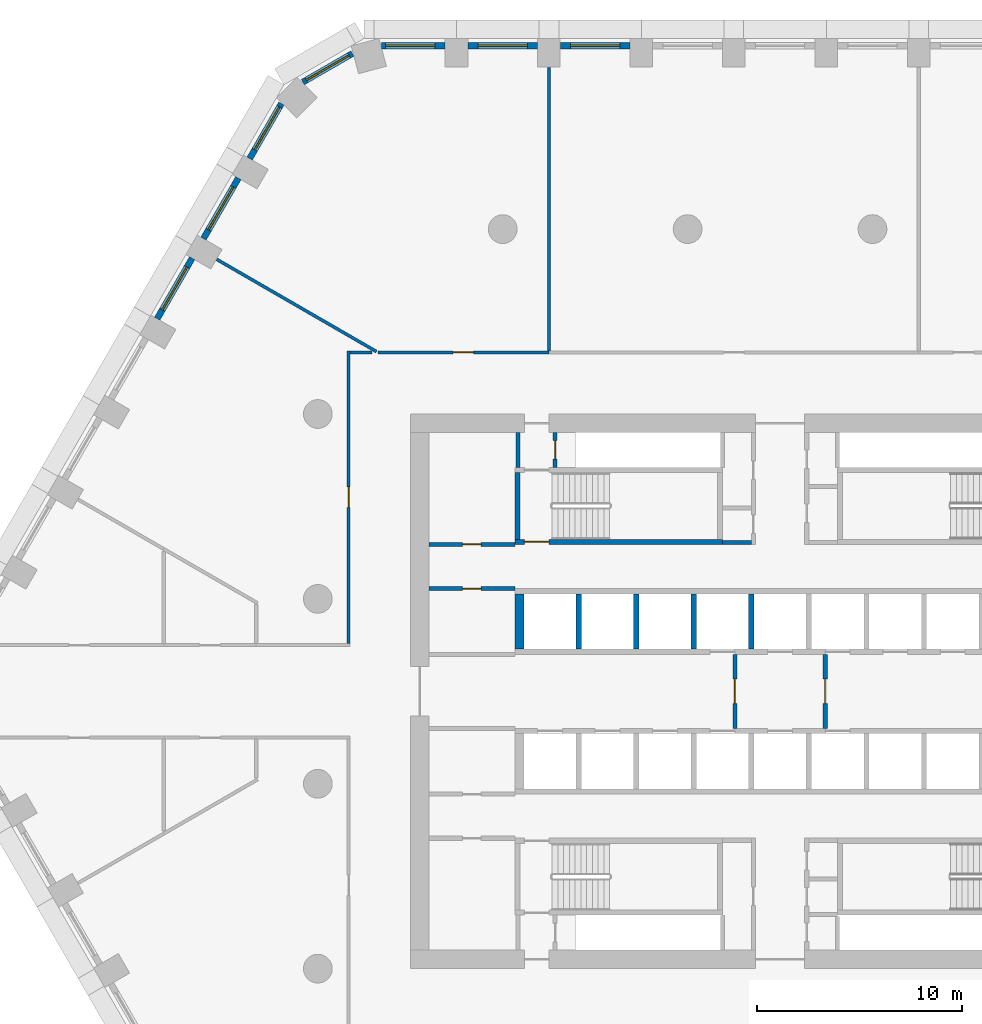
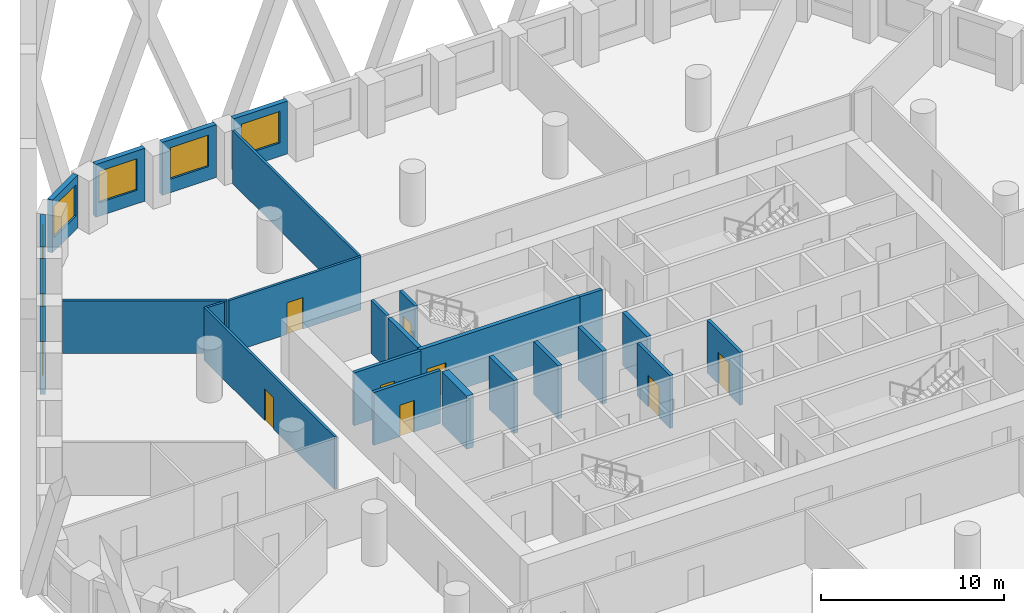
# One storey, part 5 of 18: 26 walls, 8 doors, 7 windows, 15 openings.
"""IFC4 building model written with IfcOpenShell, lengths in metres."""

import ifcopenshell
import ifcopenshell.guid

model = None  # the IFC model being written
_history = None  # IfcOwnerHistory: only IFC2X3 demands one
_inside = {}  # id of a spatial element -> (the spatial element, [elements in it])
_under = {}  # id of a project, library or spatial element -> (it, [spatial elements below it])
_declared = {}  # id of a project -> (the project, [libraries it declares])
_typed = {}  # id of a type object -> (the type object, [elements of that type])
_made_of = {}  # id of a material, layer set ... -> (it, [elements and type objects made of it])


def new_model(schema):
    """Start an empty IFC model of exactly this schema.

    Asked for "IFC4X3", IfcOpenShell would pick the latest addendum, in which some entities
    have other attributes; the version numbers below select the first issue.
    IFC2X3 requires an IfcOwnerHistory on every rooted entity: one is made here for all.
    """
    global model, _history
    if schema == "IFC4X3":
        model = ifcopenshell.file(schema_version=(4, 3, 0, 0))
    else:
        model = ifcopenshell.file(schema=schema)
    _inside.clear()
    _under.clear()
    _declared.clear()
    _typed.clear()
    _made_of.clear()
    _history = None
    if model.schema == "IFC2X3":
        org = make("IfcOrganization", Name="unknown")
        user = make(
            "IfcPersonAndOrganization",
            ThePerson=make("IfcPerson", FamilyName="unknown"),
            TheOrganization=org,
        )
        app = make(
            "IfcApplication",
            ApplicationDeveloper=org,
            Version="unknown",
            ApplicationFullName="unknown",
            ApplicationIdentifier="unknown",
        )
        _history = make(
            "IfcOwnerHistory",
            OwningUser=user,
            OwningApplication=app,
            ChangeAction="ADDED",
            CreationDate=0,
        )
    return model


def make(cls, **values):
    """One entity of the class cls with the attributes given. An attribute that is None is left unset."""
    return model.create_entity(
        cls, **{name: value for name, value in values.items() if value is not None}
    )


def rooted(cls, **values):
    """An entity with a GlobalId (a new one), such as an element, a storey or a relation."""
    return make(cls, GlobalId=ifcopenshell.guid.new(), OwnerHistory=_history, **values)


def si_unit(unit_type, name, prefix=None):
    """IfcSIUnit, for example si_unit("LENGTHUNIT", "METRE", prefix="MILLI")."""
    return make("IfcSIUnit", UnitType=unit_type, Prefix=prefix, Name=name)


def assignment(units):
    """IfcUnitAssignment: the units of a project."""
    return None if units is None else make("IfcUnitAssignment", Units=units)


def point(xyz):
    """IfcCartesianPoint."""
    return None if xyz is None else make("IfcCartesianPoint", Coordinates=xyz)


def direction(xyz):
    """IfcDirection."""
    return None if xyz is None else make("IfcDirection", DirectionRatios=xyz)


def frame(location, z_axis=None, x_axis=None):
    """IfcAxis2Placement3D, a coordinate frame: its origin and axes. An axis left out is left unset."""
    return make(
        "IfcAxis2Placement3D",
        Location=point(location),
        Axis=direction(z_axis),
        RefDirection=direction(x_axis),
    )


def frame_2d(location, x_axis=None):
    """IfcAxis2Placement2D, a coordinate frame in the plane: its origin and x axis."""
    return make(
        "IfcAxis2Placement2D", Location=point(location), RefDirection=direction(x_axis)
    )


def origin():
    """The frame at (0, 0, 0) with its axes left unset."""
    return frame((0.0, 0.0, 0.0))


def place(relative_to, where):
    """IfcLocalPlacement: puts the frame where relative to a parent placement (None: the world)."""
    return make(
        "IfcLocalPlacement", PlacementRelTo=relative_to, RelativePlacement=where
    )


def context(
    kind, dimensions, precision=None, world=None, true_north=None, identifier=None
):
    """IfcGeometricRepresentationContext, for example the 3D "Model" context."""
    return make(
        "IfcGeometricRepresentationContext",
        ContextIdentifier=identifier,
        ContextType=kind,
        CoordinateSpaceDimension=dimensions,
        Precision=precision,
        WorldCoordinateSystem=world,
        TrueNorth=true_north,
    )


def subcontext(parent, identifier, kind, view, scale=None):
    """IfcGeometricRepresentationSubContext, for example "Body" below "Model"."""
    return make(
        "IfcGeometricRepresentationSubContext",
        ContextIdentifier=identifier,
        ContextType=kind,
        ParentContext=parent,
        TargetScale=scale,
        TargetView=view,
    )


def project(units=None, contexts=None):
    """IfcProject with its units and contexts."""
    return rooted(
        "IfcProject",
        Name="project",
        RepresentationContexts=contexts,
        UnitsInContext=assignment(units),
    )


def spatial(cls, under=None, at=None, **own):
    """A site, building, storey or space (cls), placed at a placement, below another one or the project."""
    s = rooted(cls, ObjectPlacement=at, **own)
    if under is not None:
        _under.setdefault(under.id(), (under, []))[1].append(s)
    return s


def polyline(points):
    """IfcPolyline through the points."""
    return make("IfcPolyline", Points=[point(p) for p in points])


def profile(cls, at=None, kind="AREA", **sizes):
    """A parametric profile (cls). Its sizes go by their IFC names, for example OverallWidth=200.0."""
    return make(cls, ProfileType=kind, Position=at, **sizes)


def rectangle(**sizes):
    """IfcRectangleProfileDef."""
    return profile("IfcRectangleProfileDef", **sizes)


def outline(outer, holes=None, kind="AREA"):
    """IfcArbitraryClosedProfileDef: a profile drawn as a closed curve; with holes, ...WithVoids."""
    if holes is None:
        return make("IfcArbitraryClosedProfileDef", ProfileType=kind, OuterCurve=outer)
    return make(
        "IfcArbitraryProfileDefWithVoids",
        ProfileType=kind,
        OuterCurve=outer,
        InnerCurves=holes,
    )


def extrude(swept, where, along, depth):
    """IfcExtrudedAreaSolid: the profile swept, set in the frame where, extruded along a direction by depth."""
    return make(
        "IfcExtrudedAreaSolid",
        SweptArea=swept,
        Position=where,
        ExtrudedDirection=direction(along),
        Depth=depth,
    )


def shape(context_of_items, identifier, shape_type, items):
    """IfcShapeRepresentation: the items that make up one representation, for example the "Body"."""
    return make(
        "IfcShapeRepresentation",
        ContextOfItems=context_of_items,
        RepresentationIdentifier=identifier,
        RepresentationType=shape_type,
        Items=items,
    )


def material(Name=None, Category=None):
    """IfcMaterial."""
    return make("IfcMaterial", Name=Name, Category=Category)


def layer(
    of_material, thickness, ventilated=None, Name=None, Category=None, Priority=None
):
    """IfcMaterialLayer: one layer of a wall or slab, of a material (None: an air gap)."""
    return make(
        "IfcMaterialLayer",
        Material=of_material,
        LayerThickness=thickness,
        IsVentilated=ventilated,
        Name=Name,
        Category=Category,
        Priority=Priority,
    )


def layer_set(layers, Name=None):
    """IfcMaterialLayerSet."""
    return make("IfcMaterialLayerSet", MaterialLayers=layers, LayerSetName=Name)


def made_of(thing, what):
    """Note that an element or type object is made of a material, layer set ...; save() writes the relation."""
    if what is not None:
        _made_of.setdefault(what.id(), (what, []))[1].append(thing)
    return thing


def type_object(cls, material=None, **own):
    """A type object (cls), such as IfcWallType, which elements share."""
    return made_of(rooted(cls, **own), material)


def element(
    cls,
    number,
    at=None,
    inside=None,
    cuts=None,
    type_object=None,
    material=None,
    context=None,
    identifier="Body",
    shape_type=None,
    held_by="IfcProductDefinitionShape",
    body=None,
    shapes=None,
    **own,
):
    """One element of the class cls, such as IfcWall. Its Tag is "e" and its number.

    at: its placement. inside: the storey or other place that contains it. cuts: it is an
    opening in that element (IfcRelVoidsElement). A single representation is given by context,
    identifier, shape_type and body (its items); several are given by shapes. held_by: the class
    of the entity that holds the representations. save() writes the other relations.
    """
    e = rooted(cls, Tag="e%d" % number, ObjectPlacement=at, **own)
    if body is not None:
        shapes = [shape(context, identifier, shape_type, body)]
    if shapes is not None:
        e.Representation = make(held_by, Representations=shapes)
    if inside is not None:
        _inside.setdefault(inside.id(), (inside, []))[1].append(e)
    if cuts is not None:
        rooted(
            "IfcRelVoidsElement", RelatingBuildingElement=cuts, RelatedOpeningElement=e
        )
    if type_object is not None:
        _typed.setdefault(type_object.id(), (type_object, []))[1].append(e)
    return made_of(e, material)


def fill(opening, filler):
    """IfcRelFillsElement: the door or window that sits in an opening."""
    return rooted(
        "IfcRelFillsElement",
        RelatingOpeningElement=opening,
        RelatedBuildingElement=filler,
    )


def aggregate(whole, parts):
    """IfcRelAggregates: a whole, such as a stair, and the parts it consists of."""
    return rooted("IfcRelAggregates", RelatingObject=whole, RelatedObjects=parts)


def save(model, path):
    """Write the relations noted so far, then the file.

    IfcRelAggregates (storeys below a building ...), IfcRelContainedInSpatialStructure (elements
    in a storey), IfcRelDefinesByType, IfcRelAssociatesMaterial and IfcRelDeclares: one each for
    every whole, place, type object, material and project.
    """
    for whole, parts in _under.values():
        aggregate(whole, parts)
    for where, things in _inside.values():
        rooted(
            "IfcRelContainedInSpatialStructure",
            RelatedElements=things,
            RelatingStructure=where,
        )
    for kind, things in _typed.values():
        rooted("IfcRelDefinesByType", RelatedObjects=things, RelatingType=kind)
    for what, things in _made_of.values():
        rooted("IfcRelAssociatesMaterial", RelatedObjects=things, RelatingMaterial=what)
    for by, libraries in _declared.values():
        rooted("IfcRelDeclares", RelatingContext=by, RelatedDefinitions=libraries)
    model.write(path)


model = new_model("IFC4")

# Units and contexts
model_context = context("Model", 3, precision=1e-05, world=origin(), true_north=direction((0.0, 1.0)))
body_context = subcontext(model_context, "Body", "Model", "MODEL_VIEW")
ifc_project = project(units=[si_unit("LENGTHUNIT", "METRE"), si_unit("AREAUNIT", "SQUARE_METRE"), si_unit("VOLUMEUNIT", "CUBIC_METRE"), si_unit("PLANEANGLEUNIT", "RADIAN"), si_unit("MASSUNIT", "GRAM", prefix="KILO")], contexts=[model_context])

# Site, building, storey
site_placement = place(None, origin())
site = spatial("IfcSite", under=ifc_project, at=site_placement, CompositionType="ELEMENT")
building_placement = place(site_placement, origin())
building = spatial("IfcBuilding", under=site, at=building_placement, Name="Dhurran Vertical Campus", CompositionType="ELEMENT")
storey_placement = place(building_placement, frame((0.0, 0.0, 30.0)))
storey = spatial("IfcBuildingStorey", under=building, at=storey_placement, Name="L06", CompositionType="ELEMENT", Elevation=30.0)

# Wall, opening, window
ifc_material_1 = material(Name="Precast concrete C50/60", Category="concrete")
ifc_layer_1 = layer(ifc_material_1, 0.300048828125)
ifc_layer_set_1 = layer_set([ifc_layer_1], Name="Precast concrete C50/60")
wall_type_1 = type_object("IfcWallType", Name="Precast spandrel wall 300", PredefinedType="SOLIDWALL", material=ifc_layer_set_1)
wall_1_placement = place(storey_placement, frame((-7.300537109375, 31.4296875, 0.0), z_axis=(0.0, 0.0, 1.0), x_axis=(-1.0, 0.0, 0.0)))
wall_1 = element("IfcWall", 1, at=wall_1_placement, inside=storey, type_object=wall_type_1, Name="EW1 L06.32", PredefinedType="SOLIDWALL", context=body_context, shape_type="SweptSolid", body=[
    extrude(rectangle(XDim=3.39892578125, YDim=0.300048828125, at=frame_2d((1.699462890625, 0.0))), origin(), (0.0, 0.0, 1.0), 3.52490234375),
])
opening_1_placement = place(wall_1_placement, frame((0.49951171875, 0.0, 0.89990234375)))
opening_1 = element("IfcOpeningElement", 2, at=opening_1_placement, cuts=wall_1, Name="Opening WT1", PredefinedType="OPENING", context=body_context, shape_type="SweptSolid", body=[
    extrude(rectangle(XDim=2.39990234375, YDim=2.10009765625, at=frame_2d((1.199951171875, 1.050048828125))), frame((0.0, 0.159912109375, 0.0), z_axis=(0.0, -1.0, 0.0), x_axis=(1.0, 0.0, 0.0)), (0.0, 0.0, 1.0), 0.320068359375),
])
ifc_material_2 = material(Name="Aluminium frame with solar-control glass", Category="aluminium")
window_type = type_object("IfcWindowType", Name="Punched window 2400 x 2100", PartitioningType="SINGLE_PANEL", PredefinedType="WINDOW", material=ifc_material_2)
window_1_placement = place(opening_1_placement, origin())
window_1 = element("IfcWindow", 3, at=window_1_placement, inside=storey, type_object=window_type, Name="WT1 L06.32", OverallHeight=2.10009765625, OverallWidth=2.39990234375, PartitioningType="SINGLE_PANEL", PredefinedType="WINDOW", context=body_context, shape_type="SweptSolid", body=[
    extrude(rectangle(XDim=2.39990234375, YDim=2.10009765625, at=frame_2d((1.199951171875, 1.050048828125))), frame((0.0, 0.030029296875, 0.0), z_axis=(0.0, -1.0, 0.0), x_axis=(1.0, 0.0, 0.0)), (0.0, 0.0, 1.0), 0.06005859375),
])
fill(opening_1, window_1)

wall_2_placement = place(storey_placement, frame((-11.800537109375, 31.4296875, 0.0), z_axis=(0.0, 0.0, 1.0), x_axis=(-1.0, 0.0, 0.0)))
wall_2 = element("IfcWall", 4, at=wall_2_placement, inside=storey, type_object=wall_type_1, Name="EW1 L06.33", PredefinedType="SOLIDWALL", context=body_context, shape_type="SweptSolid", body=[
    extrude(rectangle(XDim=3.39892578125, YDim=0.300048828125, at=frame_2d((1.699462890625, 0.0))), origin(), (0.0, 0.0, 1.0), 3.52490234375),
])
opening_2_placement = place(wall_2_placement, frame((0.49951171875, 0.0, 0.89990234375)))
opening_2 = element("IfcOpeningElement", 5, at=opening_2_placement, cuts=wall_2, Name="Opening WT1", PredefinedType="OPENING", context=body_context, shape_type="SweptSolid", body=[
    extrude(rectangle(XDim=2.39990234375, YDim=2.10009765625, at=frame_2d((1.199951171875, 1.050048828125))), frame((0.0, 0.159912109375, 0.0), z_axis=(0.0, -1.0, 0.0), x_axis=(1.0, 0.0, 0.0)), (0.0, 0.0, 1.0), 0.320068359375),
])
window_2_placement = place(opening_2_placement, origin())
window_2 = element("IfcWindow", 6, at=window_2_placement, inside=storey, type_object=window_type, Name="WT1 L06.33", OverallHeight=2.10009765625, OverallWidth=2.39990234375, PartitioningType="SINGLE_PANEL", PredefinedType="WINDOW", context=body_context, shape_type="SweptSolid", body=[
    extrude(rectangle(XDim=2.39990234375, YDim=2.10009765625, at=frame_2d((1.199951171875, 1.050048828125))), frame((0.0, 0.030029296875, 0.0), z_axis=(0.0, -1.0, 0.0), x_axis=(1.0, 0.0, 0.0)), (0.0, 0.0, 1.0), 0.06005859375),
])
fill(opening_2, window_2)

wall_3_placement = place(storey_placement, frame((-16.300537109375, 31.4296875, 0.0), z_axis=(0.0, 0.0, 1.0), x_axis=(-1.0, 0.0, 0.0)))
wall_3 = element("IfcWall", 7, at=wall_3_placement, inside=storey, type_object=wall_type_1, Name="EW1 L06.34", PredefinedType="SOLIDWALL", context=body_context, shape_type="SweptSolid", body=[
    extrude(rectangle(XDim=3.090576171875, YDim=0.300048828125, at=frame_2d((1.54541015625, 0.0))), origin(), (0.0, 0.0, 1.0), 3.52490234375),
])
opening_3_placement = place(wall_3_placement, frame((0.49951171875, 0.0, 0.89990234375)))
opening_3 = element("IfcOpeningElement", 8, at=opening_3_placement, cuts=wall_3, Name="Opening WT1", PredefinedType="OPENING", context=body_context, shape_type="SweptSolid", body=[
    extrude(rectangle(XDim=2.39990234375, YDim=2.10009765625, at=frame_2d((1.199951171875, 1.050048828125))), frame((0.0, 0.159912109375, 0.0), z_axis=(0.0, -1.0, 0.0), x_axis=(1.0, 0.0, 0.0)), (0.0, 0.0, 1.0), 0.320068359375),
])
window_3_placement = place(opening_3_placement, origin())
window_3 = element("IfcWindow", 9, at=window_3_placement, inside=storey, type_object=window_type, Name="WT1 L06.34", OverallHeight=2.10009765625, OverallWidth=2.39990234375, PartitioningType="SINGLE_PANEL", PredefinedType="WINDOW", context=body_context, shape_type="SweptSolid", body=[
    extrude(rectangle(XDim=2.39990234375, YDim=2.10009765625, at=frame_2d((1.199951171875, 1.050048828125))), frame((0.0, 0.030029296875, 0.0), z_axis=(0.0, -1.0, 0.0), x_axis=(1.0, 0.0, 0.0)), (0.0, 0.0, 1.0), 0.06005859375),
])
fill(opening_3, window_3)

wall_4_placement = place(storey_placement, frame((-20.81884765625, 31.047119140625, 0.0), z_axis=(0.0, 0.0, 1.0), x_axis=(-0.866020456713, -0.500008568482, 0.0)))
wall_4 = element("IfcWall", 10, at=wall_4_placement, inside=storey, type_object=wall_type_1, Name="EW1 L06.35", PredefinedType="SOLIDWALL", context=body_context, shape_type="SweptSolid", body=[
    extrude(rectangle(XDim=2.7822265625, YDim=0.300048828125, at=frame_2d((1.39111328125, 0.0))), origin(), (0.0, 0.0, 1.0), 3.52490234375),
])
opening_4_placement = place(wall_4_placement, frame((0.191162109375, 0.0, 0.89990234375)))
opening_4 = element("IfcOpeningElement", 11, at=opening_4_placement, cuts=wall_4, Name="Opening WT1", PredefinedType="OPENING", context=body_context, shape_type="SweptSolid", body=[
    extrude(rectangle(XDim=2.39990234375, YDim=2.10009765625, at=frame_2d((1.199951171875, 1.050048828125))), frame((0.0, 0.159912109375, 0.0), z_axis=(0.0, -1.0, 0.0), x_axis=(1.0, 0.0, 0.0)), (0.0, 0.0, 1.0), 0.320068359375),
])
window_4_placement = place(opening_4_placement, origin())
window_4 = element("IfcWindow", 12, at=window_4_placement, inside=storey, type_object=window_type, Name="WT1 L06.35", OverallHeight=2.10009765625, OverallWidth=2.39990234375, PartitioningType="SINGLE_PANEL", PredefinedType="WINDOW", context=body_context, shape_type="SweptSolid", body=[
    extrude(rectangle(XDim=2.39990234375, YDim=2.10009765625, at=frame_2d((1.199951171875, 1.050048828125))), frame((0.0, 0.030029296875, 0.0), z_axis=(0.0, -1.0, 0.0), x_axis=(1.0, 0.0, 0.0)), (0.0, 0.0, 1.0), 0.06005859375),
])
fill(opening_4, window_4)

wall_5_placement = place(storey_placement, frame((-24.2734375, 28.611083984375, 0.0), z_axis=(0.0, 0.0, 1.0), x_axis=(-0.499995950774, -0.866027741594, 0.0)))
wall_5 = element("IfcWall", 13, at=wall_5_placement, inside=storey, type_object=wall_type_1, Name="EW1 L06.36", PredefinedType="SOLIDWALL", context=body_context, shape_type="SweptSolid", body=[
    extrude(rectangle(XDim=3.0908203125, YDim=0.300048828125, at=frame_2d((1.54541015625, 0.0))), origin(), (0.0, 0.0, 1.0), 3.52490234375),
])
opening_5_placement = place(wall_5_placement, frame((0.191162109375, 0.0, 0.89990234375)))
opening_5 = element("IfcOpeningElement", 14, at=opening_5_placement, cuts=wall_5, Name="Opening WT1", PredefinedType="OPENING", context=body_context, shape_type="SweptSolid", body=[
    extrude(rectangle(XDim=2.39990234375, YDim=2.10009765625, at=frame_2d((1.199951171875, 1.050048828125))), frame((0.0, 0.159912109375, 0.0), z_axis=(0.0, -1.0, 0.0), x_axis=(1.0, 0.0, 0.0)), (0.0, 0.0, 1.0), 0.320068359375),
])
window_5_placement = place(opening_5_placement, origin())
window_5 = element("IfcWindow", 15, at=window_5_placement, inside=storey, type_object=window_type, Name="WT1 L06.36", OverallHeight=2.10009765625, OverallWidth=2.39990234375, PartitioningType="SINGLE_PANEL", PredefinedType="WINDOW", context=body_context, shape_type="SweptSolid", body=[
    extrude(rectangle(XDim=2.39990234375, YDim=2.10009765625, at=frame_2d((1.199951171875, 1.050048828125))), frame((0.0, 0.030029296875, 0.0), z_axis=(0.0, -1.0, 0.0), x_axis=(1.0, 0.0, 0.0)), (0.0, 0.0, 1.0), 0.06005859375),
])
fill(opening_5, window_5)

wall_6_placement = place(storey_placement, frame((-26.369384765625, 24.98095703125, 0.0), z_axis=(0.0, 0.0, 1.0), x_axis=(-0.499993955907, -0.866028893315, 0.0)))
wall_6 = element("IfcWall", 16, at=wall_6_placement, inside=storey, type_object=wall_type_1, Name="EW1 L06.37", PredefinedType="SOLIDWALL", context=body_context, shape_type="SweptSolid", body=[
    extrude(rectangle(XDim=3.39892578125, YDim=0.300048828125, at=frame_2d((1.699462890625, 0.0))), origin(), (0.0, 0.0, 1.0), 3.52490234375),
])
opening_6_placement = place(wall_6_placement, frame((0.49951171875, 0.0, 0.89990234375)))
opening_6 = element("IfcOpeningElement", 17, at=opening_6_placement, cuts=wall_6, Name="Opening WT1", PredefinedType="OPENING", context=body_context, shape_type="SweptSolid", body=[
    extrude(rectangle(XDim=2.39990234375, YDim=2.10009765625, at=frame_2d((1.199951171875, 1.050048828125))), frame((0.0, 0.159912109375, 0.0), z_axis=(0.0, -1.0, 0.0), x_axis=(1.0, 0.0, 0.0)), (0.0, 0.0, 1.0), 0.320068359375),
])
window_6_placement = place(opening_6_placement, origin())
window_6 = element("IfcWindow", 18, at=window_6_placement, inside=storey, type_object=window_type, Name="WT1 L06.37", OverallHeight=2.10009765625, OverallWidth=2.39990234375, PartitioningType="SINGLE_PANEL", PredefinedType="WINDOW", context=body_context, shape_type="SweptSolid", body=[
    extrude(rectangle(XDim=2.39990234375, YDim=2.10009765625, at=frame_2d((1.199951171875, 1.050048828125))), frame((0.0, 0.030029296875, 0.0), z_axis=(0.0, -1.0, 0.0), x_axis=(1.0, 0.0, 0.0)), (0.0, 0.0, 1.0), 0.06005859375),
])
fill(opening_6, window_6)

wall_7_placement = place(storey_placement, frame((-28.619384765625, 21.083740234375, 0.0), z_axis=(0.0, 0.0, 1.0), x_axis=(-0.499993955907, -0.866028893315, 0.0)))
wall_7 = element("IfcWall", 19, at=wall_7_placement, inside=storey, type_object=wall_type_1, Name="EW1 L06.38", PredefinedType="SOLIDWALL", context=body_context, shape_type="SweptSolid", body=[
    extrude(rectangle(XDim=3.39892578125, YDim=0.300048828125, at=frame_2d((1.699462890625, 0.0))), origin(), (0.0, 0.0, 1.0), 3.52490234375),
])
opening_7_placement = place(wall_7_placement, frame((0.49951171875, 0.0, 0.89990234375)))
opening_7 = element("IfcOpeningElement", 20, at=opening_7_placement, cuts=wall_7, Name="Opening WT1", PredefinedType="OPENING", context=body_context, shape_type="SweptSolid", body=[
    extrude(rectangle(XDim=2.39990234375, YDim=2.10009765625, at=frame_2d((1.199951171875, 1.050048828125))), frame((0.0, 0.159912109375, 0.0), z_axis=(0.0, -1.0, 0.0), x_axis=(1.0, 0.0, 0.0)), (0.0, 0.0, 1.0), 0.320068359375),
])
window_7_placement = place(opening_7_placement, origin())
window_7 = element("IfcWindow", 21, at=window_7_placement, inside=storey, type_object=window_type, Name="WT1 L06.38", OverallHeight=2.10009765625, OverallWidth=2.39990234375, PartitioningType="SINGLE_PANEL", PredefinedType="WINDOW", context=body_context, shape_type="SweptSolid", body=[
    extrude(rectangle(XDim=2.39990234375, YDim=2.10009765625, at=frame_2d((1.199951171875, 1.050048828125))), frame((0.0, 0.030029296875, 0.0), z_axis=(0.0, -1.0, 0.0), x_axis=(1.0, 0.0, 0.0)), (0.0, 0.0, 1.0), 0.06005859375),
])
fill(opening_7, window_7)

# Wall, opening, door
ifc_material_3 = material(Name="Fire-rated masonry blockwork", Category="masonry")
ifc_layer_2 = layer(ifc_material_3, 0.199951171875)
ifc_layer_set_2 = layer_set([ifc_layer_2], Name="Fire-rated masonry blockwork")
wall_type_2 = type_object("IfcWallType", Name="co-FIRE-PARTITION-200", PredefinedType="PARTITIONING", material=ifc_layer_set_2)
wall_8_placement = place(storey_placement, frame((-2.199951171875, -1.800048828125, 0.0), z_axis=(0.0, 0.0, 1.0), x_axis=(0.0, 1.0, 0.0)))
wall_8 = element("IfcWall", 22, at=wall_8_placement, inside=storey, type_object=wall_type_2, Name="Firefighting lobby wall W L06", PredefinedType="PARTITIONING", context=body_context, shape_type="SweptSolid", body=[
    extrude(rectangle(XDim=3.60009765625, YDim=0.199951171875, at=frame_2d((1.800048828125, 0.0))), origin(), (0.0, 0.0, 1.0), 3.52490234375),
])
opening_8_placement = place(wall_8_placement, frame((1.199951171875, 0.0, 0.0)))
opening_8 = element("IfcOpeningElement", 23, at=opening_8_placement, cuts=wall_8, Name="Opening FL1", PredefinedType="OPENING", context=body_context, shape_type="SweptSolid", body=[
    extrude(rectangle(XDim=1.199951171875, YDim=2.10009765625, at=frame_2d((0.60009765625, 1.050048828125))), frame((0.0, 0.10986328125, 0.0), z_axis=(0.0, -1.0, 0.0), x_axis=(1.0, 0.0, 0.0)), (0.0, 0.0, 1.0), 0.219970703125),
])
ifc_material_4 = material(Name="Fire-rated steel door set", Category="steel")
door_type_1 = type_object("IfcDoorType", Name="co-D-FFLOBBY 1200x2100", OperationType="SINGLE_SWING_LEFT", PredefinedType="DOOR", material=ifc_material_4)
door_1_placement = place(opening_8_placement, origin())
door_1 = element("IfcDoor", 24, at=door_1_placement, inside=storey, type_object=door_type_1, Name="Firefighting lobby door W L06", OperationType="SINGLE_SWING_LEFT", OverallHeight=2.10009765625, OverallWidth=1.199951171875, PredefinedType="DOOR", context=body_context, shape_type="SweptSolid", body=[
    extrude(rectangle(XDim=1.199951171875, YDim=2.10009765625, at=frame_2d((0.60009765625, 1.050048828125))), frame((0.0, 0.02490234375, 0.0), z_axis=(0.0, -1.0, 0.0), x_axis=(1.0, 0.0, 0.0)), (0.0, 0.0, 1.0), 0.050048828125),
])
fill(opening_8, door_1)

wall_9_placement = place(storey_placement, frame((2.199951171875, -1.800048828125, 0.0), z_axis=(0.0, 0.0, 1.0), x_axis=(0.0, 1.0, 0.0)))
wall_9 = element("IfcWall", 25, at=wall_9_placement, inside=storey, type_object=wall_type_2, Name="Firefighting lobby wall E L06", PredefinedType="PARTITIONING", context=body_context, shape_type="SweptSolid", body=[
    extrude(rectangle(XDim=3.60009765625, YDim=0.199951171875, at=frame_2d((1.800048828125, 0.0))), origin(), (0.0, 0.0, 1.0), 3.52490234375),
])
opening_9_placement = place(wall_9_placement, frame((1.199951171875, 0.0, 0.0)))
opening_9 = element("IfcOpeningElement", 26, at=opening_9_placement, cuts=wall_9, Name="Opening FL2", PredefinedType="OPENING", context=body_context, shape_type="SweptSolid", body=[
    extrude(rectangle(XDim=1.199951171875, YDim=2.10009765625, at=frame_2d((0.60009765625, 1.050048828125))), frame((0.0, 0.10986328125, 0.0), z_axis=(0.0, -1.0, 0.0), x_axis=(1.0, 0.0, 0.0)), (0.0, 0.0, 1.0), 0.219970703125),
])
door_2_placement = place(opening_9_placement, origin())
door_2 = element("IfcDoor", 27, at=door_2_placement, inside=storey, type_object=door_type_1, Name="Firefighting lobby door E L06", OperationType="SINGLE_SWING_LEFT", OverallHeight=2.10009765625, OverallWidth=1.199951171875, PredefinedType="DOOR", context=body_context, shape_type="SweptSolid", body=[
    extrude(rectangle(XDim=1.199951171875, YDim=2.10009765625, at=frame_2d((0.60009765625, 1.050048828125))), frame((0.0, 0.02490234375, 0.0), z_axis=(0.0, -1.0, 0.0), x_axis=(1.0, 0.0, 0.0)), (0.0, 0.0, 1.0), 0.050048828125),
])
fill(opening_9, door_2)

# Walls
wall_10_placement = place(storey_placement, frame((-2.800048828125, 7.25, 0.0), z_axis=(0.0, 0.0, 1.0), x_axis=(1.0, 0.0, 0.0)))
element("IfcWall", 28, at=wall_10_placement, inside=storey, type_object=wall_type_2, Name="Core partition sl-NW-S L06", PredefinedType="PARTITIONING", context=body_context, shape_type="SweptSolid", body=[
    extrude(rectangle(XDim=1.400146484375, YDim=0.199951171875, at=frame_2d((0.7001953125, 0.0))), origin(), (0.0, 0.0, 1.0), 3.52490234375),
])
wall_11_placement = place(storey_placement, frame((-12.75, 10.89990234375, 0.0), z_axis=(0.0, 0.0, 1.0), x_axis=(0.0, 1.0, 0.0)))
element("IfcWall", 29, at=wall_11_placement, inside=storey, type_object=wall_type_2, Name="Core partition pass-ST1-o L06", PredefinedType="PARTITIONING", context=body_context, shape_type="SweptSolid", body=[
    extrude(rectangle(XDim=1.7001953125, YDim=0.199951171875, at=frame_2d((0.85009765625, 0.0))), origin(), (0.0, 0.0, 1.0), 3.52490234375),
])

# Wall, opening, door
wall_12_placement = place(storey_placement, frame((-10.949951171875, 10.89990234375, 0.0), z_axis=(0.0, 0.0, 1.0), x_axis=(0.0, 1.0, 0.0)))
wall_12 = element("IfcWall", 30, at=wall_12_placement, inside=storey, type_object=wall_type_2, Name="Core partition pass-ST1-i L06", PredefinedType="PARTITIONING", context=body_context, shape_type="SweptSolid", body=[
    extrude(rectangle(XDim=1.7001953125, YDim=0.199951171875, at=frame_2d((0.85009765625, 0.0))), origin(), (0.0, 0.0, 1.0), 3.52490234375),
])
opening_10_placement = place(wall_12_placement, frame((0.39990234375, 0.0, 0.0)))
opening_10 = element("IfcOpeningElement", 31, at=opening_10_placement, cuts=wall_12, Name="Opening T01-C9", PredefinedType="OPENING", context=body_context, shape_type="SweptSolid", body=[
    extrude(rectangle(XDim=0.89990234375, YDim=2.10009765625, at=frame_2d((0.449951171875, 1.050048828125))), frame((0.0, 0.10986328125, 0.0), z_axis=(0.0, -1.0, 0.0), x_axis=(1.0, 0.0, 0.0)), (0.0, 0.0, 1.0), 0.219970703125),
])
ifc_material_5 = material(Name="Fire-rated timber door set", Category="wood")
door_type_2 = type_object("IfcDoorType", Name="co-D-ROOM 900x2100", OperationType="SINGLE_SWING_LEFT", PredefinedType="DOOR", material=ifc_material_5)
door_3_placement = place(opening_10_placement, origin())
door_3 = element("IfcDoor", 32, at=door_3_placement, inside=storey, type_object=door_type_2, Name="Riser room door L06", OperationType="SINGLE_SWING_LEFT", OverallHeight=2.10009765625, OverallWidth=0.89990234375, PredefinedType="DOOR", context=body_context, shape_type="SweptSolid", body=[
    extrude(rectangle(XDim=0.89990234375, YDim=2.10009765625, at=frame_2d((0.449951171875, 1.050048828125))), frame((0.0, 0.02490234375, 0.0), z_axis=(0.0, -1.0, 0.0), x_axis=(1.0, 0.0, 0.0)), (0.0, 0.0, 1.0), 0.050048828125),
])
fill(opening_10, door_3)

wall_13_placement = place(storey_placement, frame((-17.10009765625, 7.14990234375, 0.0), z_axis=(0.0, 0.0, 1.0), x_axis=(1.0, 0.0, 0.0)))
wall_13 = element("IfcWall", 33, at=wall_13_placement, inside=storey, type_object=wall_type_2, Name="Core partition en-NW-w L06", PredefinedType="PARTITIONING", context=body_context, shape_type="SweptSolid", body=[
    extrude(rectangle(XDim=4.2001953125, YDim=0.199951171875, at=frame_2d((2.10009765625, 0.0))), origin(), (0.0, 0.0, 1.0), 3.52490234375),
])
opening_11_placement = place(wall_13_placement, frame((1.64990234375, 0.0, 0.0)))
opening_11 = element("IfcOpeningElement", 34, at=opening_11_placement, cuts=wall_13, Name="Opening T01-C13", PredefinedType="OPENING", context=body_context, shape_type="SweptSolid", body=[
    extrude(rectangle(XDim=0.89990234375, YDim=2.10009765625, at=frame_2d((0.449951171875, 1.050048828125))), frame((0.0, 0.10986328125, 0.0), z_axis=(0.0, -1.0, 0.0), x_axis=(1.0, 0.0, 0.0)), (0.0, 0.0, 1.0), 0.219970703125),
])
door_4_placement = place(opening_11_placement, origin())
door_4 = element("IfcDoor", 35, at=door_4_placement, inside=storey, type_object=door_type_2, Name="Pantry door L06", OperationType="SINGLE_SWING_LEFT", OverallHeight=2.10009765625, OverallWidth=0.89990234375, PredefinedType="DOOR", context=body_context, shape_type="SweptSolid", body=[
    extrude(rectangle(XDim=0.89990234375, YDim=2.10009765625, at=frame_2d((0.449951171875, 1.050048828125))), frame((0.0, 0.02490234375, 0.0), z_axis=(0.0, -1.0, 0.0), x_axis=(1.0, 0.0, 0.0)), (0.0, 0.0, 1.0), 0.050048828125),
])
fill(opening_11, door_4)

wall_14_placement = place(storey_placement, frame((-17.10009765625, 5.0, 0.0), z_axis=(0.0, 0.0, 1.0), x_axis=(1.0, 0.0, 0.0)))
wall_14 = element("IfcWall", 36, at=wall_14_placement, inside=storey, type_object=wall_type_2, Name="Core partition es-NW-w L06", PredefinedType="PARTITIONING", context=body_context, shape_type="SweptSolid", body=[
    extrude(rectangle(XDim=4.2001953125, YDim=0.199951171875, at=frame_2d((2.10009765625, 0.0))), origin(), (0.0, 0.0, 1.0), 3.52490234375),
])
opening_12_placement = place(wall_14_placement, frame((1.64990234375, 0.0, 0.0)))
opening_12 = element("IfcOpeningElement", 37, at=opening_12_placement, cuts=wall_14, Name="Opening T01-C14", PredefinedType="OPENING", context=body_context, shape_type="SweptSolid", body=[
    extrude(rectangle(XDim=0.89990234375, YDim=2.10009765625, at=frame_2d((0.449951171875, 1.050048828125))), frame((0.0, 0.10986328125, 0.0), z_axis=(0.0, -1.0, 0.0), x_axis=(1.0, 0.0, 0.0)), (0.0, 0.0, 1.0), 0.219970703125),
])
door_5_placement = place(opening_12_placement, origin())
door_5 = element("IfcDoor", 38, at=door_5_placement, inside=storey, type_object=door_type_2, Name="Water riser door L06", OperationType="SINGLE_SWING_LEFT", OverallHeight=2.10009765625, OverallWidth=0.89990234375, PredefinedType="DOOR", context=body_context, shape_type="SweptSolid", body=[
    extrude(rectangle(XDim=0.89990234375, YDim=2.10009765625, at=frame_2d((0.449951171875, 1.050048828125))), frame((0.0, 0.02490234375, 0.0), z_axis=(0.0, -1.0, 0.0), x_axis=(1.0, 0.0, 0.0)), (0.0, 0.0, 1.0), 0.050048828125),
])
fill(opening_12, door_5)

# Walls
ifc_material_6 = material(Name="Concrete C50/60", Category="concrete")
ifc_layer_3 = layer(ifc_material_6, 0.25)
ifc_layer_set_3 = layer_set([ifc_layer_3], Name="Concrete C50/60")
wall_type_3 = type_object("IfcWallType", Name="co-SHAFT-MASS-250", PredefinedType="SHEAR", material=ifc_layer_set_3)
wall_15_placement = place(storey_placement, origin())
element("IfcWall", 39, at=wall_15_placement, inside=storey, type_object=wall_type_3, Name="Lift shaft wall N L06 2", PredefinedType="SHEAR", context=body_context, shape_type="SweptSolid", body=[
    extrude(outline(polyline([(-12.89990234375, 2.050048828125), (-12.47509765625, 2.050048828125), (-12.47509765625, 4.75), (-12.89990234375, 4.75), (-12.89990234375, 2.050048828125)])), origin(), (0.0, 0.0, 1.0), 3.52490234375),
])
wall_16_placement = place(storey_placement, origin())
element("IfcWall", 40, at=wall_16_placement, inside=storey, type_object=wall_type_3, Name="Lift shaft wall N L06 3", PredefinedType="SHEAR", context=body_context, shape_type="SweptSolid", body=[
    extrude(outline(polyline([(-9.925048828125, 2.050048828125), (-9.675048828125, 2.050048828125), (-9.675048828125, 4.75), (-9.925048828125, 4.75), (-9.925048828125, 2.050048828125)])), origin(), (0.0, 0.0, 1.0), 3.52490234375),
])
wall_17_placement = place(storey_placement, origin())
element("IfcWall", 41, at=wall_17_placement, inside=storey, type_object=wall_type_3, Name="Lift shaft wall N L06 4", PredefinedType="SHEAR", context=body_context, shape_type="SweptSolid", body=[
    extrude(outline(polyline([(-7.125, 2.050048828125), (-6.875, 2.050048828125), (-6.875, 4.75), (-7.125, 4.75), (-7.125, 2.050048828125)])), origin(), (0.0, 0.0, 1.0), 3.52490234375),
])
wall_18_placement = place(storey_placement, origin())
element("IfcWall", 42, at=wall_18_placement, inside=storey, type_object=wall_type_3, Name="Lift shaft wall N L06 5", PredefinedType="SHEAR", context=body_context, shape_type="SweptSolid", body=[
    extrude(outline(polyline([(-4.324951171875, 2.050048828125), (-4.074951171875, 2.050048828125), (-4.074951171875, 4.75), (-4.324951171875, 4.75), (-4.324951171875, 2.050048828125)])), origin(), (0.0, 0.0, 1.0), 3.52490234375),
])
wall_19_placement = place(storey_placement, origin())
element("IfcWall", 43, at=wall_19_placement, inside=storey, type_object=wall_type_3, Name="Lift shaft wall N L06 6", PredefinedType="SHEAR", context=body_context, shape_type="SweptSolid", body=[
    extrude(outline(polyline([(-1.52490234375, 2.050048828125), (-1.27490234375, 2.050048828125), (-1.27490234375, 4.75), (-1.52490234375, 4.75), (-1.52490234375, 2.050048828125)])), origin(), (0.0, 0.0, 1.0), 3.52490234375),
])

# Wall, opening, door
ifc_material_7 = material(Name="Concrete C40/50", Category="concrete")
ifc_layer_4 = layer(ifc_material_7, 0.25)
ifc_layer_set_4 = layer_set([ifc_layer_4], Name="Concrete C40/50")
wall_type_4 = type_object("IfcWallType", Name="co-STAIR-WALL-250", PredefinedType="SHEAR", material=ifc_layer_set_4)
wall_20_placement = place(storey_placement, frame((-12.89990234375, 7.27490234375, 0.0), z_axis=(0.0, 0.0, 1.0), x_axis=(1.0, 0.0, 0.0)))
wall_20 = element("IfcWall", 44, at=wall_20_placement, inside=storey, type_object=wall_type_4, Name="Stair ST1 enclosure wall L06", PredefinedType="SHEAR", context=body_context, shape_type="SweptSolid", body=[
    extrude(rectangle(XDim=10.099853515625, YDim=0.25, at=frame_2d((5.0498046875, 0.0))), origin(), (0.0, 0.0, 1.0), 3.52490234375),
])
opening_13_placement = place(wall_20_placement, frame((0.449951171875, 0.0, 0.0)))
opening_13 = element("IfcOpeningElement", 45, at=opening_13_placement, cuts=wall_20, Name="Opening SD1", PredefinedType="OPENING", context=body_context, shape_type="SweptSolid", body=[
    extrude(rectangle(XDim=1.199951171875, YDim=2.10009765625, at=frame_2d((0.60009765625, 1.050048828125))), frame((0.0, 0.135009765625, 0.0), z_axis=(0.0, -1.0, 0.0), x_axis=(1.0, 0.0, 0.0)), (0.0, 0.0, 1.0), 0.27001953125),
])
ifc_material_8 = material(Name="Fire-rated steel door set", Category="steel")
door_type_3 = type_object("IfcDoorType", Name="co-D-STAIR 1200x2100", OperationType="SINGLE_SWING_LEFT", PredefinedType="DOOR", material=ifc_material_8)
door_6_placement = place(opening_13_placement, origin())
door_6 = element("IfcDoor", 46, at=door_6_placement, inside=storey, type_object=door_type_3, Name="Stair ST1 door L06", OperationType="SINGLE_SWING_LEFT", OverallHeight=2.10009765625, OverallWidth=1.199951171875, PredefinedType="DOOR", context=body_context, shape_type="SweptSolid", body=[
    extrude(rectangle(XDim=1.199951171875, YDim=2.10009765625, at=frame_2d((0.60009765625, 1.050048828125))), frame((0.0, 0.02490234375, 0.0), z_axis=(0.0, -1.0, 0.0), x_axis=(1.0, 0.0, 0.0)), (0.0, 0.0, 1.0), 0.050048828125),
])
fill(opening_13, door_6)

# Wall
wall_21_placement = place(storey_placement, frame((-12.77490234375, 7.39990234375, 0.0), z_axis=(0.0, 0.0, 1.0), x_axis=(0.0, 1.0, 0.0)))
element("IfcWall", 47, at=wall_21_placement, inside=storey, type_object=wall_type_4, Name="Stair ST1 enclosure wall L06", PredefinedType="SHEAR", context=body_context, shape_type="SweptSolid", body=[
    extrude(rectangle(XDim=3.25, YDim=0.25, at=frame_2d((1.625, 0.0))), origin(), (0.0, 0.0, 1.0), 3.52490234375),
])

# Wall, opening, door
ifc_material_9 = material(Name="Gypsum board corridor wall on steel studs", Category="steel")
ifc_layer_5 = layer(ifc_material_9, 0.14990234375)
ifc_layer_set_5 = layer_set([ifc_layer_5], Name="Gypsum board corridor wall on steel studs")
wall_type_5 = type_object("IfcWallType", Name="fl-CW-150 corridor wall", PredefinedType="PARTITIONING", material=ifc_layer_set_5)
wall_22_placement = place(storey_placement, frame((-21.0, 16.574951171875, 0.0), z_axis=(0.0, 0.0, 1.0), x_axis=(0.0, -1.0, 0.0)))
wall_22 = element("IfcWall", 48, at=wall_22_placement, inside=storey, type_object=wall_type_5, Name="Partition 06-19", PredefinedType="PARTITIONING", context=body_context, shape_type="SweptSolid", body=[
    extrude(rectangle(XDim=14.25, YDim=0.14990234375, at=frame_2d((7.125, 0.0))), origin(), (0.0, 0.0, 1.0), 3.52490234375),
])
opening_14_placement = place(wall_22_placement, frame((6.625, 0.0, 0.0)))
opening_14 = element("IfcOpeningElement", 49, at=opening_14_placement, cuts=wall_22, Name="Opening T01.06", PredefinedType="OPENING", context=body_context, shape_type="SweptSolid", body=[
    extrude(rectangle(XDim=1.0, YDim=2.10009765625, at=frame_2d((0.5, 1.050048828125))), frame((0.0, 0.0849609375, 0.0), z_axis=(0.0, -1.0, 0.0), x_axis=(1.0, 0.0, 0.0)), (0.0, 0.0, 1.0), 0.169921875),
])
ifc_material_10 = material(Name="Solid-core timber door set, fire-rated", Category="wood")
door_type_4 = type_object("IfcDoorType", Name="fl-D-1000x2100", OperationType="SINGLE_SWING_LEFT", PredefinedType="DOOR", material=ifc_material_10)
door_7_placement = place(opening_14_placement, origin())
door_7 = element("IfcDoor", 50, at=door_7_placement, inside=storey, type_object=door_type_4, Name="Door 06.06", OperationType="SINGLE_SWING_RIGHT", OverallHeight=2.10009765625, OverallWidth=1.0, PredefinedType="DOOR", context=body_context, shape_type="SweptSolid", body=[
    extrude(rectangle(XDim=1.0, YDim=2.10009765625, at=frame_2d((0.5, 1.050048828125))), frame((0.0, 0.02490234375, 0.0), z_axis=(0.0, -1.0, 0.0), x_axis=(1.0, 0.0, 0.0)), (0.0, 0.0, 1.0), 0.050048828125),
])
fill(opening_14, door_7)

# Wall
wall_23_placement = place(storey_placement, frame((-19.85400390625, 16.5, 0.0), z_axis=(0.0, 0.0, 1.0), x_axis=(-1.0, 0.0, 0.0)))
element("IfcWall", 51, at=wall_23_placement, inside=storey, type_object=wall_type_5, Name="Partition 06-20", PredefinedType="PARTITIONING", context=body_context, shape_type="SweptSolid", body=[
    extrude(rectangle(XDim=1.071044921875, YDim=0.14990234375, at=frame_2d((0.53564453125, 0.0))), origin(), (0.0, 0.0, 1.0), 3.52490234375),
])

# Wall, opening, door
wall_24_placement = place(storey_placement, frame((-11.25, 16.5, 0.0), z_axis=(0.0, 0.0, 1.0), x_axis=(-1.0, 0.0, 0.0)))
wall_24 = element("IfcWall", 52, at=wall_24_placement, inside=storey, type_object=wall_type_5, Name="Partition 06-23", PredefinedType="PARTITIONING", context=body_context, shape_type="SweptSolid", body=[
    extrude(rectangle(XDim=8.3291015625, YDim=0.14990234375, at=frame_2d((4.16455078125, 0.0))), origin(), (0.0, 0.0, 1.0), 3.52490234375),
])
opening_15_placement = place(wall_24_placement, frame((3.66455078125, 0.0, 0.0)))
opening_15 = element("IfcOpeningElement", 53, at=opening_15_placement, cuts=wall_24, Name="Opening T01.08", PredefinedType="OPENING", context=body_context, shape_type="SweptSolid", body=[
    extrude(rectangle(XDim=1.0, YDim=2.10009765625, at=frame_2d((0.5, 1.050048828125))), frame((0.0, 0.0849609375, 0.0), z_axis=(0.0, -1.0, 0.0), x_axis=(1.0, 0.0, 0.0)), (0.0, 0.0, 1.0), 0.169921875),
])
door_8_placement = place(opening_15_placement, origin())
door_8 = element("IfcDoor", 54, at=door_8_placement, inside=storey, type_object=door_type_4, Name="Door 06.08", OperationType="SINGLE_SWING_RIGHT", OverallHeight=2.10009765625, OverallWidth=1.0, PredefinedType="DOOR", context=body_context, shape_type="SweptSolid", body=[
    extrude(rectangle(XDim=1.0, YDim=2.10009765625, at=frame_2d((0.5, 1.050048828125))), frame((0.0, 0.02490234375, 0.0), z_axis=(0.0, -1.0, 0.0), x_axis=(1.0, 0.0, 0.0)), (0.0, 0.0, 1.0), 0.050048828125),
])
fill(opening_15, door_8)

# Walls
ifc_material_11 = material(Name="Gypsum board partition on steel studs", Category="steel")
ifc_layer_6 = layer(ifc_material_11, 0.14990234375)
ifc_layer_set_6 = layer_set([ifc_layer_6], Name="Gypsum board partition on steel studs")
wall_type_6 = type_object("IfcWallType", Name="fl-PW-150 fixed partition", PredefinedType="PARTITIONING", material=ifc_layer_set_6)
wall_25_placement = place(storey_placement, frame((-27.4169921875, 21.02587890625, 0.0), z_axis=(0.0, 0.0, 1.0), x_axis=(0.866004853516, -0.500035592419, 0.0)))
element("IfcWall", 55, at=wall_25_placement, inside=storey, type_object=wall_type_6, Name="Partition 06-12", PredefinedType="PARTITIONING", context=body_context, shape_type="SweptSolid", body=[
    extrude(rectangle(XDim=8.975830078125, YDim=0.14990234375, at=frame_2d((4.48779296875, 0.0))), origin(), (0.0, 0.0, 1.0), 3.52490234375),
])
wall_26_placement = place(storey_placement, frame((-11.25, 30.35986328125, 0.0), z_axis=(0.0, 0.0, 1.0), x_axis=(0.0, -1.0, 0.0)))
element("IfcWall", 56, at=wall_26_placement, inside=storey, type_object=wall_type_6, Name="Partition 06-25", PredefinedType="PARTITIONING", context=body_context, shape_type="SweptSolid", body=[
    extrude(rectangle(XDim=13.784912109375, YDim=0.14990234375, at=frame_2d((6.892578125, 0.0))), origin(), (0.0, 0.0, 1.0), 3.52490234375),
])

save(model, "model.ifc")
